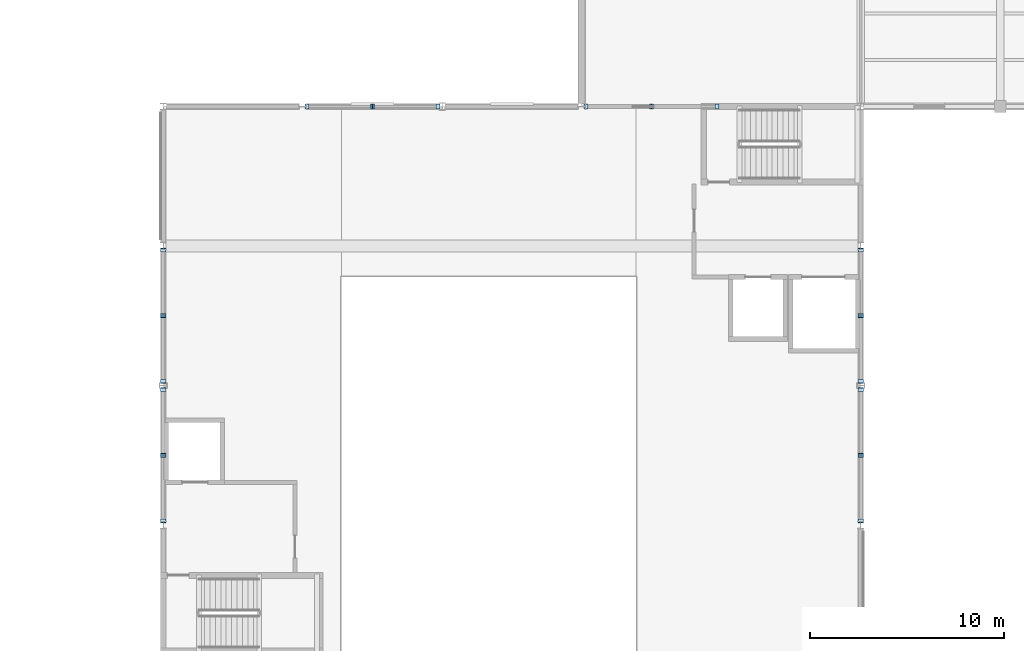
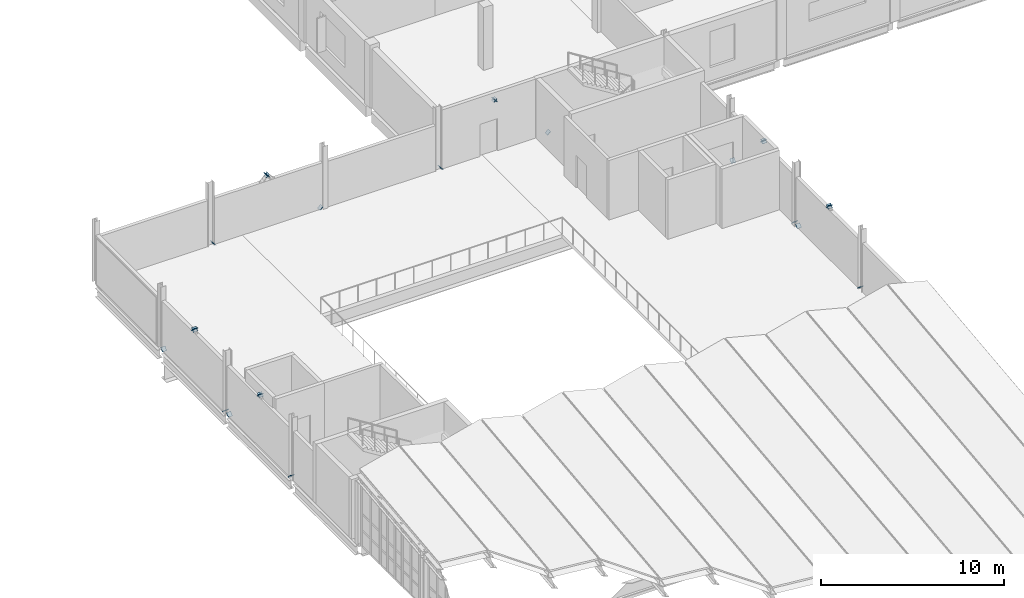
# One storey, part 39 of 48: 24 plates.
"""IFC4 building model written with IfcOpenShell, lengths in metres."""

from ifc_helpers import new_model, si_unit, direction, frame, origin, origin_2d, place, context, subcontext, project, spatial, rectangle, extrude, material, layer, layer_set, type_object, element, save


model = new_model("IFC4")

# Units and contexts
model_context = context("Model", 3, precision=1e-05, world=origin(), true_north=direction((0.0, 1.0)))
body_context = subcontext(model_context, "Body", "Model", "MODEL_VIEW")
ifc_project = project(units=[si_unit("LENGTHUNIT", "METRE"), si_unit("AREAUNIT", "SQUARE_METRE"), si_unit("VOLUMEUNIT", "CUBIC_METRE"), si_unit("PLANEANGLEUNIT", "RADIAN"), si_unit("MASSUNIT", "GRAM", prefix="KILO"), si_unit("THERMODYNAMICTEMPERATUREUNIT", "KELVIN"), si_unit("POWERUNIT", "WATT")], contexts=[model_context])

# Site, building, storey
site_placement = place(None, origin())
site = spatial("IfcSite", under=ifc_project, at=site_placement, CompositionType="ELEMENT")
building_placement = place(site_placement, origin())
building = spatial("IfcBuilding", under=site, at=building_placement, Name="Kaldorven Railside Theatre", CompositionType="ELEMENT")
storey_placement = place(building_placement, frame((0.0, 0.0, 18.89990234375)))
storey = spatial("IfcBuildingStorey", under=building, at=storey_placement, Name="L04", CompositionType="ELEMENT", Elevation=18.89990234375)

# Plates
ifc_material = material(Name="Steel S355", Category="steel")
ifc_layer = layer(ifc_material, 0.02001953125, Name="Steel S355")
ifc_layer_set = layer_set([ifc_layer], Name="Steel S355")
plate_type = type_object("IfcPlateType", Name="PLT-GUS-20", PredefinedType="USERDEFINED", material=ifc_layer_set)
for number, where, z_axis, x_axis, name in (
    (1, (87.199951171875, 91.4072265625, 0.02734375), (0.0, 0.709201693677, 0.705005643726), (-1.0, 0.0, 0.0), "End cap gusset plate PL-0073"),
    (2, (87.199951171875, 94.798583984375, 3.398681640625), (0.0, 0.709201693677, 0.705005643726), (-1.0, 0.0, 0.0), "End cap gusset plate PL-0074"),
    (3, (87.199951171875, 98.19287109375, 0.02734375), (0.0, -0.709201693677, 0.705005643726), (1.0, 0.0, 0.0), "End cap gusset plate PL-0075"),
    (4, (87.199951171875, 94.80126953125, 3.398681640625), (0.0, -0.709201693677, 0.705005643726), (1.0, 0.0, 0.0), "End cap gusset plate PL-0076"),
    (5, (87.199951171875, 98.607177734375, 0.02734375), (0.0, 0.709201693677, 0.705005643726), (-1.0, 0.0, 0.0), "End cap gusset plate PL-0077"),
    (6, (87.199951171875, 101.99853515625, 3.398681640625), (0.0, 0.709201693677, 0.705005643726), (-1.0, 0.0, 0.0), "End cap gusset plate PL-0078"),
    (7, (87.199951171875, 105.392822265625, 0.02734375), (0.0, -0.709201693677, 0.705005643726), (1.0, 0.0, 0.0), "End cap gusset plate PL-0079"),
    (8, (87.199951171875, 102.00146484375, 3.398681640625), (0.0, -0.709201693677, 0.705005643726), (1.0, 0.0, 0.0), "End cap gusset plate PL-0080"),
    (9, (123.199951171875, 91.4072265625, 0.02734375), (0.0, 0.709201693677, 0.705005643726), (-1.0, 0.0, 0.0), "End cap gusset plate PL-0081"),
    (10, (123.199951171875, 94.798583984375, 3.398681640625), (0.0, 0.709201693677, 0.705005643726), (-1.0, 0.0, 0.0), "End cap gusset plate PL-0082"),
    (11, (123.199951171875, 98.19287109375, 0.02734375), (0.0, -0.709201693677, 0.705005643726), (1.0, 0.0, 0.0), "End cap gusset plate PL-0083"),
    (12, (123.199951171875, 94.80126953125, 3.398681640625), (0.0, -0.709201693677, 0.705005643726), (1.0, 0.0, 0.0), "End cap gusset plate PL-0084"),
    (13, (123.199951171875, 98.607177734375, 0.02734375), (0.0, 0.709201693677, 0.705005643726), (-1.0, 0.0, 0.0), "End cap gusset plate PL-0085"),
    (14, (123.199951171875, 101.99853515625, 3.398681640625), (0.0, 0.709201693677, 0.705005643726), (-1.0, 0.0, 0.0), "End cap gusset plate PL-0086"),
    (15, (123.199951171875, 105.392822265625, 0.02734375), (0.0, -0.709201693677, 0.705005643726), (1.0, 0.0, 0.0), "End cap gusset plate PL-0087"),
    (16, (123.199951171875, 102.00146484375, 3.398681640625), (0.0, -0.709201693677, 0.705005643726), (1.0, 0.0, 0.0), "End cap gusset plate PL-0088"),
    (17, (94.607177734375, 112.800048828125, 0.02734375), (0.709201693677, 0.0, 0.705005643726), (0.0, 1.0, 0.0), "End cap gusset plate PL-0089"),
    (18, (97.99853515625, 112.800048828125, 3.398681640625), (0.709201693677, 0.0, 0.705005643726), (0.0, 1.0, 0.0), "End cap gusset plate PL-0090"),
    (19, (101.392822265625, 112.800048828125, 0.02734375), (-0.709201693677, 0.0, 0.705005643726), (0.0, -1.0, 0.0), "End cap gusset plate PL-0091"),
    (20, (98.00146484375, 112.800048828125, 3.398681640625), (-0.709201693677, 0.0, 0.705005643726), (0.0, -1.0, 0.0), "End cap gusset plate PL-0092"),
    (21, (109.00732421875, 112.800048828125, 0.02734375), (0.709201693677, 0.0, 0.705005643726), (0.0, 1.0, 0.0), "End cap gusset plate PL-0093"),
    (22, (112.398681640625, 112.800048828125, 3.398681640625), (0.709201693677, 0.0, 0.705005643726), (0.0, 1.0, 0.0), "End cap gusset plate PL-0094"),
    (23, (115.792724609375, 112.800048828125, 0.02734375), (-0.709201693677, 0.0, 0.705005643726), (0.0, -1.0, 0.0), "End cap gusset plate PL-0095"),
    (24, (112.4013671875, 112.800048828125, 3.398681640625), (-0.709201693677, 0.0, 0.705005643726), (0.0, -1.0, 0.0), "End cap gusset plate PL-0096"),
):
    element("IfcPlate", number, at=place(storey_placement, frame(where, z_axis=z_axis, x_axis=x_axis)), inside=storey, type_object=plate_type, Name=name, ObjectType="GUSSET PLATE", PredefinedType="USERDEFINED", context=body_context, shape_type="SweptSolid", body=[
        extrude(rectangle(XDim=0.279052734375, YDim=0.279052734375, at=origin_2d()), origin(), (0.0, 0.0, 1.0), 0.02001953125),
    ])

save(model, "model.ifc")
